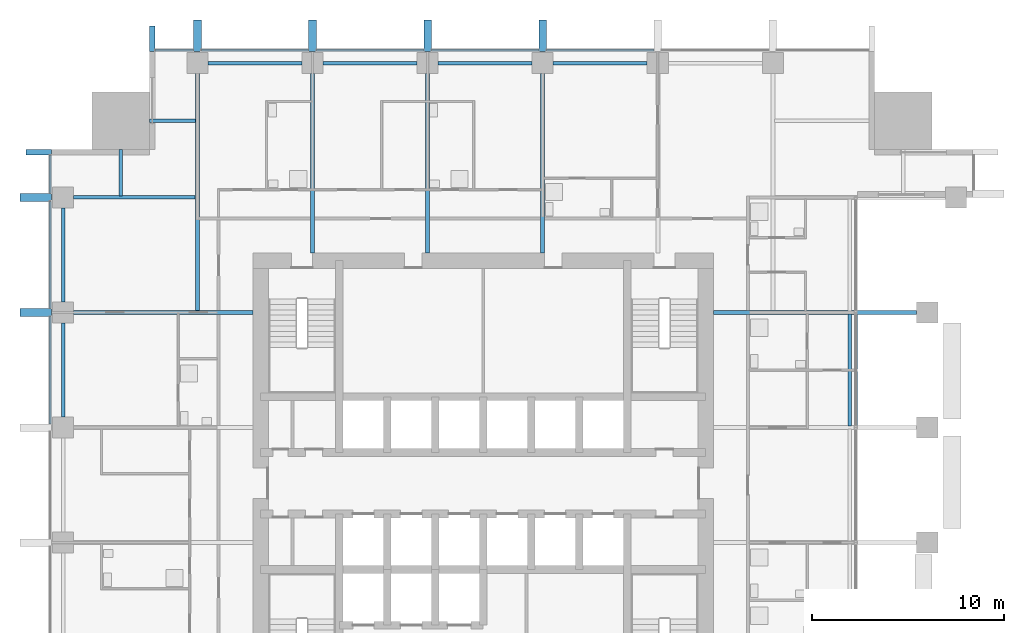
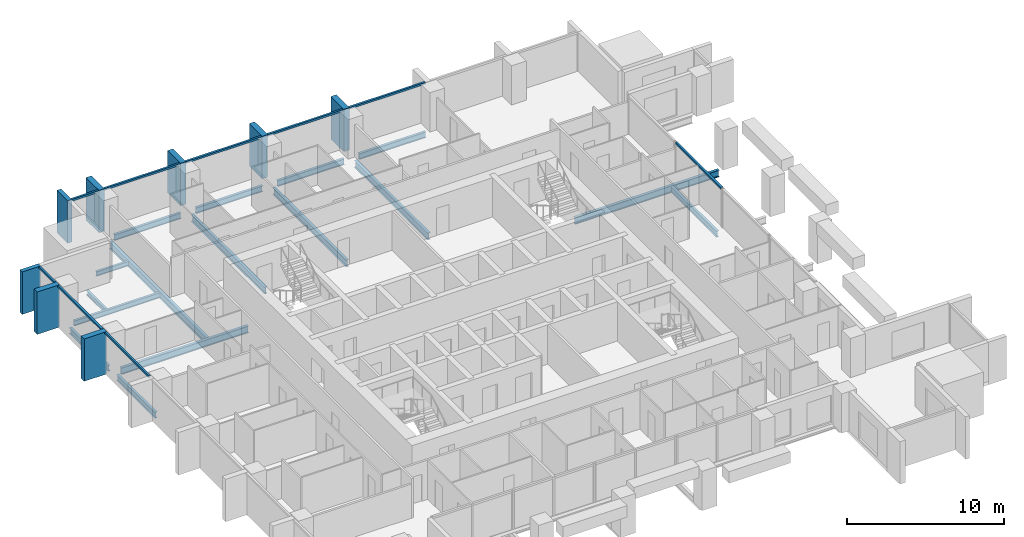
# One storey, part 4 of 13: 17 members, 16 beams, 3 elements without a shape of their own.
"""IFC4 building model written with IfcOpenShell, lengths in metres."""

from ifc_helpers import new_model, si_unit, direction, frame, origin, origin_2d, place, context, subcontext, project, spatial, rectangle, i_section, extrude, material, material_profile, profile_set, type_object, element, aggregate, save


model = new_model("IFC4")

# Units and contexts
model_context = context("Model", 3, precision=1e-05, world=origin(), true_north=direction((0.0, 1.0)))
body_context = subcontext(model_context, "Body", "Model", "MODEL_VIEW")
ifc_project = project(units=[si_unit("LENGTHUNIT", "METRE"), si_unit("AREAUNIT", "SQUARE_METRE"), si_unit("VOLUMEUNIT", "CUBIC_METRE"), si_unit("PLANEANGLEUNIT", "RADIAN"), si_unit("MASSUNIT", "GRAM", prefix="KILO")], contexts=[model_context])

# Site, building, storey
site_placement = place(None, origin())
site = spatial("IfcSite", under=ifc_project, at=site_placement, CompositionType="ELEMENT")
building_placement = place(site_placement, origin())
building = spatial("IfcBuilding", under=site, at=building_placement, Name="Amberfall Residences", CompositionType="ELEMENT")
storey_placement = place(building_placement, frame((0.0, 0.0, 111.699951171875)))
storey = spatial("IfcBuildingStorey", under=building, at=storey_placement, Name="L30", CompositionType="ELEMENT", Elevation=111.699951171875)

# Curtain wall, members
ifc_material_1 = material(Name="Bronze anodised aluminium and glass", Category="aluminium")
curtain_wall_type_1 = type_object("IfcCurtainWallType", Name="Curtain wall CW1 tower unit", PredefinedType="USERDEFINED", material=ifc_material_1)
curtain_wall_1_placement = place(storey_placement, origin())
curtain_wall_1 = element("IfcCurtainWall", 1, at=curtain_wall_1_placement, inside=storey, type_object=curtain_wall_type_1, Name="Curtain wall L30 N N1", ObjectType="UNITISED CURTAIN WALL", PredefinedType="USERDEFINED")
ifc_material_2 = material(Name="Bronze anodised aluminium", Category="aluminium")
ifc_material_profile_1 = material_profile(ifc_material_2, rectangle(XDim=0.14990234375, YDim=0.14990234375, at=origin_2d()), Name="CW1 transom 150 x 150 bronze")
ifc_profile_set_1 = profile_set([ifc_material_profile_1], Name="Bronze anodised aluminium")
member_type_1 = type_object("IfcMemberType", Name="CW1 transom 150 x 150 bronze", PredefinedType="USERDEFINED", material=ifc_profile_set_1)
member_1_placement = place(storey_placement, frame((83.39990234375, 68.074951171875, 2.97509765625), z_axis=(-1.0, 0.0, 0.0), x_axis=(0.0, -1.0, 0.0)))
member_1 = element("IfcMember", 2, at=member_1_placement, type_object=member_type_1, Name="CW1 transom 3.1", ObjectType="TRANSOM", PredefinedType="USERDEFINED", context=body_context, shape_type="SweptSolid", body=[
    extrude(rectangle(XDim=0.14990234375, YDim=0.14990234375, at=origin_2d()), origin(), (0.0, 0.0, 1.0), 5.599853515625),
])
member_2_placement = place(storey_placement, frame((77.39990234375, 68.074951171875, 2.97509765625), z_axis=(-1.0, 0.0, 0.0), x_axis=(0.0, -1.0, 0.0)))
member_2 = element("IfcMember", 3, at=member_2_placement, type_object=member_type_1, Name="CW1 transom 4.1", ObjectType="TRANSOM", PredefinedType="USERDEFINED", context=body_context, shape_type="SweptSolid", body=[
    extrude(rectangle(XDim=0.14990234375, YDim=0.14990234375, at=origin_2d()), origin(), (0.0, 0.0, 1.0), 5.599853515625),
])
member_3_placement = place(storey_placement, frame((71.39990234375, 68.074951171875, 2.97509765625), z_axis=(-1.0, 0.0, 0.0), x_axis=(0.0, -1.0, 0.0)))
member_3 = element("IfcMember", 4, at=member_3_placement, type_object=member_type_1, Name="CW1 transom 5.1", ObjectType="TRANSOM", PredefinedType="USERDEFINED", context=body_context, shape_type="SweptSolid", body=[
    extrude(rectangle(XDim=0.14990234375, YDim=0.14990234375, at=origin_2d()), origin(), (0.0, 0.0, 1.0), 5.599853515625),
])
member_4_placement = place(storey_placement, frame((65.39990234375, 68.074951171875, 2.97509765625), z_axis=(-1.0, 0.0, 0.0), x_axis=(0.0, -1.0, 0.0)))
member_4 = element("IfcMember", 5, at=member_4_placement, type_object=member_type_1, Name="CW1 transom 6.1", ObjectType="TRANSOM", PredefinedType="USERDEFINED", context=body_context, shape_type="SweptSolid", body=[
    extrude(rectangle(XDim=0.14990234375, YDim=0.14990234375, at=origin_2d()), origin(), (0.0, 0.0, 1.0), 5.599853515625),
])
member_5_placement = place(storey_placement, frame((59.39990234375, 68.074951171875, 2.97509765625), z_axis=(-1.0, 0.0, 0.0), x_axis=(0.0, -1.0, 0.0)))
member_5 = element("IfcMember", 6, at=member_5_placement, type_object=member_type_1, Name="CW1 transom 7.1", ObjectType="TRANSOM", PredefinedType="USERDEFINED", context=body_context, shape_type="SweptSolid", body=[
    extrude(rectangle(XDim=0.14990234375, YDim=0.14990234375, at=origin_2d()), origin(), (0.0, 0.0, 1.0), 2.0),
])

curtain_wall_2_placement = place(storey_placement, origin())
curtain_wall_2 = element("IfcCurtainWall", 7, at=curtain_wall_2_placement, inside=storey, type_object=curtain_wall_type_1, Name="Curtain wall L30 W W1", ObjectType="UNITISED CURTAIN WALL", PredefinedType="USERDEFINED")
member_6_placement = place(storey_placement, frame((51.925048828125, 62.60009765625, 2.97509765625), z_axis=(0.0, -1.0, 0.0), x_axis=(1.0, 0.0, 0.0)))
member_6 = element("IfcMember", 8, at=member_6_placement, type_object=member_type_1, Name="CW1 transom 1.1", ObjectType="TRANSOM", PredefinedType="USERDEFINED", context=body_context, shape_type="SweptSolid", body=[
    extrude(rectangle(XDim=0.14990234375, YDim=0.14990234375, at=origin_2d()), origin(), (0.0, 0.0, 1.0), 2.0),
])
member_7_placement = place(storey_placement, frame((51.925048828125, 60.199951171875, 2.97509765625), z_axis=(0.0, -1.0, 0.0), x_axis=(1.0, 0.0, 0.0)))
member_7 = element("IfcMember", 9, at=member_7_placement, type_object=member_type_1, Name="CW1 transom 2.1", ObjectType="TRANSOM", PredefinedType="USERDEFINED", context=body_context, shape_type="SweptSolid", body=[
    extrude(rectangle(XDim=0.14990234375, YDim=0.14990234375, at=origin_2d()), origin(), (0.0, 0.0, 1.0), 5.599853515625),
])
member_8_placement = place(storey_placement, frame((51.925048828125, 54.199951171875, 2.97509765625), z_axis=(0.0, -1.0, 0.0), x_axis=(1.0, 0.0, 0.0)))
member_8 = element("IfcMember", 10, at=member_8_placement, type_object=member_type_1, Name="CW1 transom 3.1", ObjectType="TRANSOM", PredefinedType="USERDEFINED", context=body_context, shape_type="SweptSolid", body=[
    extrude(rectangle(XDim=0.14990234375, YDim=0.14990234375, at=origin_2d()), origin(), (0.0, 0.0, 1.0), 5.599853515625),
])

# Curtain wall, member
curtain_wall_type_2 = type_object("IfcCurtainWallType", Name="Curtain wall CW3 sky garden glazing", PredefinedType="USERDEFINED", material=ifc_material_1)
curtain_wall_3_placement = place(storey_placement, origin())
curtain_wall_3 = element("IfcCurtainWall", 11, at=curtain_wall_3_placement, inside=storey, type_object=curtain_wall_type_2, Name="Curtain wall L30 E E6", ObjectType="UNITISED CURTAIN WALL", PredefinedType="USERDEFINED")
ifc_material_profile_2 = material_profile(ifc_material_2, rectangle(XDim=0.14990234375, YDim=0.14990234375, at=origin_2d()), Name="CW3 transom 150 x 150 bronze")
ifc_profile_set_2 = profile_set([ifc_material_profile_2], Name="Bronze anodised aluminium")
member_type_2 = type_object("IfcMemberType", Name="CW3 transom 150 x 150 bronze", PredefinedType="USERDEFINED", material=ifc_profile_set_2)
member_9_placement = place(storey_placement, frame((93.925048828125, 48.5, 2.97509765625), z_axis=(0.0, 1.0, 0.0), x_axis=(-1.0, 0.0, 0.0)))
member_9 = element("IfcMember", 12, at=member_9_placement, type_object=member_type_2, Name="CW3 transom 1.1", ObjectType="TRANSOM", PredefinedType="USERDEFINED", context=body_context, shape_type="SweptSolid", body=[
    extrude(rectangle(XDim=0.14990234375, YDim=0.14990234375, at=origin_2d()), origin(), (0.0, 0.0, 1.0), 5.800048828125),
])
aggregate(curtain_wall_3, [member_9])

# Member
ifc_material_profile_3 = material_profile(ifc_material_2, rectangle(XDim=1.35009765625, YDim=0.300048828125, at=origin_2d()), Name="Corner fin 300 x 1350 bronze")
ifc_profile_set_3 = profile_set([ifc_material_profile_3], Name="Bronze anodised aluminium")
member_type_3 = type_object("IfcMemberType", Name="Corner fin 300 x 1350 bronze", PredefinedType="MULLION", material=ifc_profile_set_3)
member_10_placement = place(storey_placement, frame((57.25, 68.675048828125, -0.25), z_axis=(0.0, 0.0, 1.0), x_axis=(0.0, -1.0, 0.0)))
member_10 = element("IfcMember", 13, at=member_10_placement, type_object=member_type_3, Name="CW FIN 8", PredefinedType="MULLION", context=body_context, shape_type="SweptSolid", body=[
    extrude(rectangle(XDim=1.35009765625, YDim=0.300048828125, at=origin_2d()), origin(), (0.0, 0.0, 1.0), 3.300048828125),
])

member_11_placement = place(storey_placement, frame((51.324951171875, 62.75, -0.25), z_axis=(0.0, 0.0, 1.0), x_axis=(1.0, 0.0, 0.0)))
member_11 = element("IfcMember", 14, at=member_11_placement, type_object=member_type_3, Name="CW FIN 1", PredefinedType="MULLION", context=body_context, shape_type="SweptSolid", body=[
    extrude(rectangle(XDim=1.35009765625, YDim=0.300048828125, at=origin_2d()), origin(), (0.0, 0.0, 1.0), 3.300048828125),
])

# Beams
ifc_material_3 = material(Name="Steel S355", Category="steel")
ifc_material_profile_4 = material_profile(ifc_material_3, i_section(OverallWidth=0.18994140625, OverallDepth=0.453369140625, WebThickness=0.008544921875, FlangeThickness=0.0126953125, FilletRadius=0.01025390625, at=origin_2d()), Name="UB 457x191x67")
ifc_profile_set_4 = profile_set([ifc_material_profile_4], Name="Steel S355")
beam_type_1 = type_object("IfcBeamType", Name="Edge beam UB 457x191x67", PredefinedType="SPANDREL", material=ifc_profile_set_4)
beam_1_placement = place(storey_placement, frame((93.60009765625, 48.47998046875, -0.4765625), z_axis=(0.0, 1.0, 0.0), x_axis=(-1.0, 0.0, 0.0)))
element("IfcBeam", 15, at=beam_1_placement, inside=storey, type_object=beam_type_1, Name="Edge beam B1 L30 15", PredefinedType="SPANDREL", context=body_context, shape_type="SweptSolid", body=[
    extrude(i_section(OverallWidth=0.18994140625, OverallDepth=0.453369140625, WebThickness=0.008544921875, FlangeThickness=0.0126953125, FilletRadius=0.01025390625, at=origin_2d()), origin(), (0.0, 0.0, 1.0), 5.840087890625),
])
for number, where, z_axis, x_axis, name in (
    (16, (60.14990234375, 67.39990234375, -0.4765625), (1.0, 0.0, 0.0), (0.0, 1.0, 0.0), "Edge beam B1 L30 23"),
    (17, (66.14990234375, 67.39990234375, -0.4765625), (1.0, 0.0, 0.0), (0.0, 1.0, 0.0), "Edge beam B1 L30 24"),
    (18, (72.14990234375, 67.39990234375, -0.4765625), (1.0, 0.0, 0.0), (0.0, 1.0, 0.0), "Edge beam B1 L30 25"),
    (19, (78.14990234375, 67.39990234375, -0.4765625), (1.0, 0.0, 0.0), (0.0, 1.0, 0.0), "Edge beam B1 L30 26"),
    (20, (52.60009765625, 48.949951171875, -0.4765625), (0.0, 1.0, 0.0), (-1.0, 0.0, 0.0), "Edge beam B1 L30 37"),
    (21, (52.60009765625, 54.949951171875, -0.4765625), (0.0, 1.0, 0.0), (-1.0, 0.0, 0.0), "Edge beam B1 L30 38"),
):
    element("IfcBeam", number, at=place(storey_placement, frame(where, z_axis=z_axis, x_axis=x_axis)), inside=storey, type_object=beam_type_1, Name=name, PredefinedType="SPANDREL", context=body_context, shape_type="SweptSolid", body=[
        extrude(i_section(OverallWidth=0.18994140625, OverallDepth=0.453369140625, WebThickness=0.008544921875, FlangeThickness=0.0126953125, FilletRadius=0.01025390625, at=origin_2d()), origin(), (0.0, 0.0, 1.0), 4.900146484375),
    ])

# Member
ifc_material_profile_5 = material_profile(ifc_material_2, rectangle(XDim=1.64990234375, YDim=0.39990234375, at=origin_2d()), Name="Fin 400 x 1650 bronze")
ifc_profile_set_5 = profile_set([ifc_material_profile_5], Name="Bronze anodised aluminium")
member_type_4 = type_object("IfcMemberType", Name="Fin 400 x 1650 bronze", PredefinedType="MULLION", material=ifc_profile_set_5)
member_12_placement = place(storey_placement, frame((77.60009765625, 68.824951171875, -0.25), z_axis=(0.0, 0.0, 1.0), x_axis=(0.0, -1.0, 0.0)))
member_12 = element("IfcMember", 22, at=member_12_placement, type_object=member_type_4, Name="CW FIN 4", PredefinedType="MULLION", context=body_context, shape_type="SweptSolid", body=[
    extrude(rectangle(XDim=1.64990234375, YDim=0.39990234375, at=origin_2d()), origin(), (0.0, 0.0, 1.0), 3.300048828125),
])

member_13_placement = place(storey_placement, frame((71.60009765625, 68.824951171875, -0.25), z_axis=(0.0, 0.0, 1.0), x_axis=(0.0, -1.0, 0.0)))
member_13 = element("IfcMember", 23, at=member_13_placement, type_object=member_type_4, Name="CW FIN 5", PredefinedType="MULLION", context=body_context, shape_type="SweptSolid", body=[
    extrude(rectangle(XDim=1.64990234375, YDim=0.39990234375, at=origin_2d()), origin(), (0.0, 0.0, 1.0), 3.300048828125),
])

member_14_placement = place(storey_placement, frame((65.60009765625, 68.824951171875, -0.25), z_axis=(0.0, 0.0, 1.0), x_axis=(0.0, -1.0, 0.0)))
member_14 = element("IfcMember", 24, at=member_14_placement, type_object=member_type_4, Name="CW FIN 6", PredefinedType="MULLION", context=body_context, shape_type="SweptSolid", body=[
    extrude(rectangle(XDim=1.64990234375, YDim=0.39990234375, at=origin_2d()), origin(), (0.0, 0.0, 1.0), 3.300048828125),
])

member_15_placement = place(storey_placement, frame((59.60009765625, 68.824951171875, -0.25), z_axis=(0.0, 0.0, 1.0), x_axis=(0.0, -1.0, 0.0)))
member_15 = element("IfcMember", 25, at=member_15_placement, type_object=member_type_4, Name="CW FIN 7", PredefinedType="MULLION", context=body_context, shape_type="SweptSolid", body=[
    extrude(rectangle(XDim=1.64990234375, YDim=0.39990234375, at=origin_2d()), origin(), (0.0, 0.0, 1.0), 3.300048828125),
])

aggregate(curtain_wall_1, [member_12, member_13, member_14, member_15, member_10, member_1, member_2, member_3, member_4, member_5])

member_16_placement = place(storey_placement, frame((51.175048828125, 60.39990234375, -0.25), z_axis=(0.0, 0.0, 1.0), x_axis=(1.0, 0.0, 0.0)))
member_16 = element("IfcMember", 26, at=member_16_placement, type_object=member_type_4, Name="CW FIN 2", PredefinedType="MULLION", context=body_context, shape_type="SweptSolid", body=[
    extrude(rectangle(XDim=1.64990234375, YDim=0.39990234375, at=origin_2d()), origin(), (0.0, 0.0, 1.0), 3.300048828125),
])

member_17_placement = place(storey_placement, frame((51.175048828125, 54.39990234375, -0.25), z_axis=(0.0, 0.0, 1.0), x_axis=(1.0, 0.0, 0.0)))
member_17 = element("IfcMember", 27, at=member_17_placement, type_object=member_type_4, Name="CW FIN 3", PredefinedType="MULLION", context=body_context, shape_type="SweptSolid", body=[
    extrude(rectangle(XDim=1.64990234375, YDim=0.39990234375, at=origin_2d()), origin(), (0.0, 0.0, 1.0), 3.300048828125),
])

aggregate(curtain_wall_2, [member_11, member_16, member_17, member_6, member_7, member_8])

# Beams
ifc_material_profile_6 = material_profile(ifc_material_3, i_section(OverallWidth=0.177734375, OverallDepth=0.402587890625, WebThickness=0.0078125, FlangeThickness=0.010986328125, FilletRadius=0.01025390625, at=origin_2d()), Name="UB 406x178x54")
ifc_profile_set_6 = profile_set([ifc_material_profile_6], Name="Steel S355")
beam_type_2 = type_object("IfcBeamType", Name="Floor girder UB 406x178x54", PredefinedType="BEAM", material=ifc_profile_set_6)
beam_2_placement = place(storey_placement, frame((53.14990234375, 60.39990234375, -0.451171875), z_axis=(1.0, 0.0, 0.0), x_axis=(0.0, 1.0, 0.0)))
element("IfcBeam", 28, at=beam_2_placement, inside=storey, type_object=beam_type_2, Name="Floor girder B4 L30 44", PredefinedType="BEAM", context=body_context, shape_type="SweptSolid", body=[
    extrude(i_section(OverallWidth=0.177734375, OverallDepth=0.402587890625, WebThickness=0.0078125, FlangeThickness=0.010986328125, FilletRadius=0.01025390625, at=origin_2d()), origin(), (0.0, 0.0, 1.0), 6.330078125),
])
ifc_material_profile_7 = material_profile(ifc_material_3, i_section(OverallWidth=0.210693359375, OverallDepth=0.53955078125, WebThickness=0.01171875, FlangeThickness=0.018798828125, FilletRadius=0.0126953125, at=origin_2d()), Name="UB 533x210x109")
ifc_profile_set_7 = profile_set([ifc_material_profile_7], Name="Steel S355")
beam_type_3 = type_object("IfcBeamType", Name="Floor girder UB 533x210x109", PredefinedType="BEAM", material=ifc_profile_set_7)
beam_3_placement = place(storey_placement, frame((59.60009765625, 66.85009765625, -0.519775390625), z_axis=(0.0, -1.0, 0.0), x_axis=(1.0, 0.0, 0.0)))
element("IfcBeam", 29, at=beam_3_placement, inside=storey, type_object=beam_type_3, Name="Floor girder B2 L30 28", PredefinedType="BEAM", context=body_context, shape_type="SweptSolid", body=[
    extrude(i_section(OverallWidth=0.210693359375, OverallDepth=0.53955078125, WebThickness=0.01171875, FlangeThickness=0.018798828125, FilletRadius=0.0126953125, at=origin_2d()), origin(), (0.0, 0.0, 1.0), 12.3505859375),
])
ifc_material_profile_8 = material_profile(ifc_material_3, i_section(OverallWidth=0.209228515625, OverallDepth=0.533203125, WebThickness=0.010009765625, FlangeThickness=0.015625, FilletRadius=0.0126953125, at=origin_2d()), Name="UB 533x210x92")
ifc_profile_set_8 = profile_set([ifc_material_profile_8], Name="Steel S355")
beam_type_4 = type_object("IfcBeamType", Name="Floor girder UB 533x210x92", PredefinedType="BEAM", material=ifc_profile_set_8)
beam_4_placement = place(storey_placement, frame((97.10009765625, 54.39990234375, -0.5166015625), z_axis=(-1.0, 0.0, 0.0), x_axis=(0.0, -1.0, 0.0)))
element("IfcBeam", 30, at=beam_4_placement, inside=storey, type_object=beam_type_4, Name="Floor girder B3 L30 21", PredefinedType="BEAM", context=body_context, shape_type="SweptSolid", body=[
    extrude(i_section(OverallWidth=0.209228515625, OverallDepth=0.533203125, WebThickness=0.010009765625, FlangeThickness=0.015625, FilletRadius=0.0126953125, at=origin_2d()), origin(), (0.0, 0.0, 1.0), 10.60009765625),
])
for number, where, z_axis, x_axis, name in (
    (31, (65.60009765625, 66.85009765625, -0.5166015625), (0.0, -1.0, 0.0), (1.0, 0.0, 0.0), "Floor girder B3 L30 29"),
    (32, (71.60009765625, 66.85009765625, -0.5166015625), (0.0, -1.0, 0.0), (1.0, 0.0, 0.0), "Floor girder B3 L30 30"),
    (33, (77.60009765625, 66.85009765625, -0.5166015625), (0.0, -1.0, 0.0), (1.0, 0.0, 0.0), "Floor girder B3 L30 31"),
    (34, (53.14990234375, 54.39990234375, -0.5166015625), (1.0, 0.0, 0.0), (0.0, 1.0, 0.0), "Floor girder B3 L30 43"),
):
    element("IfcBeam", number, at=place(storey_placement, frame(where, z_axis=z_axis, x_axis=x_axis)), inside=storey, type_object=beam_type_4, Name=name, PredefinedType="BEAM", context=body_context, shape_type="SweptSolid", body=[
        extrude(i_section(OverallWidth=0.209228515625, OverallDepth=0.533203125, WebThickness=0.010009765625, FlangeThickness=0.015625, FilletRadius=0.0126953125, at=origin_2d()), origin(), (0.0, 0.0, 1.0), 9.35009765625),
    ])
ifc_material_profile_9 = material_profile(ifc_material_3, i_section(OverallWidth=0.171142578125, OverallDepth=0.351318359375, WebThickness=0.007080078125, FlangeThickness=0.009765625, FilletRadius=0.01025390625, at=origin_2d()), Name="UB 356x171x45")
ifc_profile_set_9 = profile_set([ifc_material_profile_9], Name="Steel S355")
beam_type_5 = type_object("IfcBeamType", Name="Link beam UB 356x171x45", PredefinedType="BEAM", material=ifc_profile_set_9)
beam_5_placement = place(storey_placement, frame((57.10009765625, 64.39990234375, -0.425537109375), z_axis=(1.0, 0.0, 0.0), x_axis=(0.0, 1.0, 0.0)))
element("IfcBeam", 35, at=beam_5_placement, inside=storey, type_object=beam_type_5, Name="Link beam B7 L30 52", PredefinedType="BEAM", context=body_context, shape_type="SweptSolid", body=[
    extrude(i_section(OverallWidth=0.171142578125, OverallDepth=0.351318359375, WebThickness=0.007080078125, FlangeThickness=0.009765625, FilletRadius=0.01025390625, at=origin_2d()), origin(), (0.0, 0.0, 1.0), 2.404541015625),
])
beam_6_placement = place(storey_placement, frame((55.60009765625, 62.89990234375, -0.425537109375), z_axis=(0.0, -1.0, 0.0), x_axis=(1.0, 0.0, 0.0)))
element("IfcBeam", 36, at=beam_6_placement, inside=storey, type_object=beam_type_5, Name="Link beam B7 L30 53", PredefinedType="BEAM", context=body_context, shape_type="SweptSolid", body=[
    extrude(i_section(OverallWidth=0.171142578125, OverallDepth=0.351318359375, WebThickness=0.007080078125, FlangeThickness=0.009765625, FilletRadius=0.01025390625, at=origin_2d()), origin(), (0.0, 0.0, 1.0), 2.4208984375),
])

save(model, "model.ifc")
